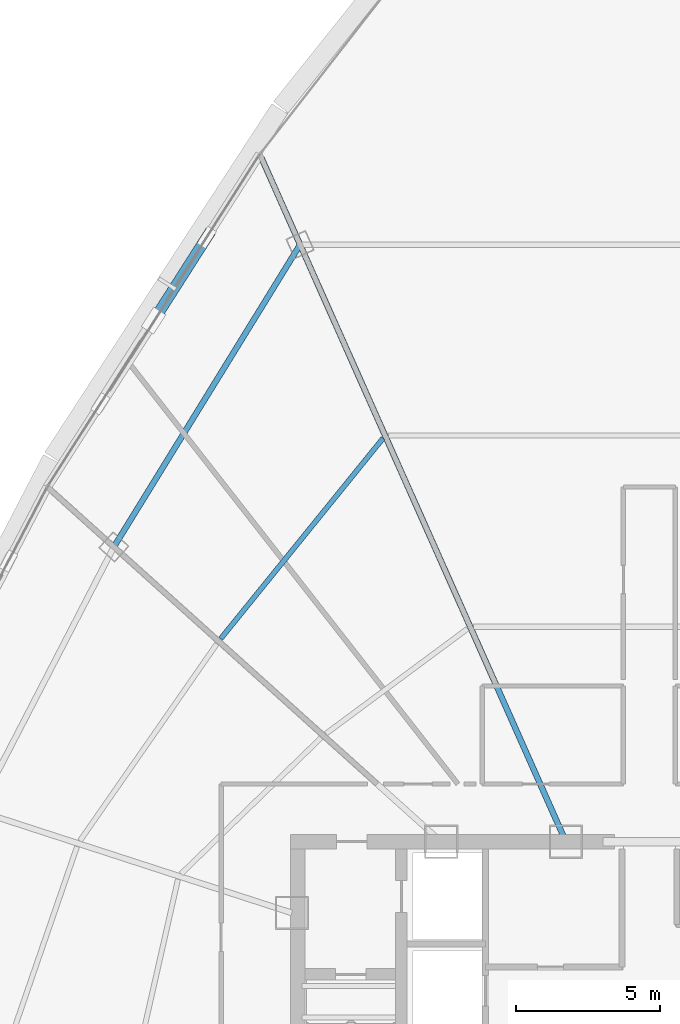
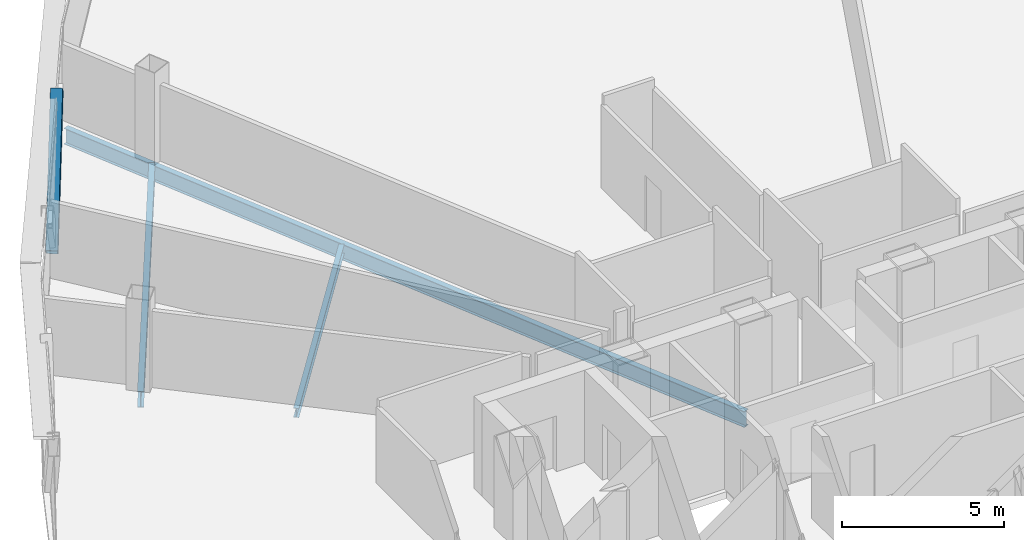
# One storey, part 18 of 37: 3 beams, 1 member.
"""IFC4 building model written with IfcOpenShell, lengths in metres."""

from ifc_helpers import new_model, si_unit, direction, frame, origin, origin_2d, place, context, subcontext, project, spatial, hollow_rectangle, i_section, extrude, source, transform, mapped, material, material_profile, profile_set, type_object, element, save


model = new_model("IFC4")

# Units and contexts
model_context = context("Model", 3, precision=1e-05, world=origin(), true_north=direction((0.0, 1.0)))
body_context = subcontext(model_context, "Body", "Model", "MODEL_VIEW")
ifc_project = project(units=[si_unit("LENGTHUNIT", "METRE"), si_unit("AREAUNIT", "SQUARE_METRE"), si_unit("VOLUMEUNIT", "CUBIC_METRE"), si_unit("PLANEANGLEUNIT", "RADIAN"), si_unit("MASSUNIT", "GRAM", prefix="KILO"), si_unit("THERMODYNAMICTEMPERATUREUNIT", "KELVIN"), si_unit("POWERUNIT", "WATT")], contexts=[model_context])

# Site, building, storey
site_placement = place(None, origin())
site = spatial("IfcSite", under=ifc_project, at=site_placement, CompositionType="ELEMENT")
building_placement = place(site_placement, origin())
building = spatial("IfcBuilding", under=site, at=building_placement, Name="Yunzhuo Pagoda Commons", CompositionType="ELEMENT")
storey_placement = place(building_placement, frame((0.0, 0.0, 281.2900390625)))
storey = spatial("IfcBuildingStorey", under=building, at=storey_placement, Name="L70", CompositionType="ELEMENT", Elevation=281.2900390625)

# Beams
ifc_material = material(Name="Structural steel Q355B", Category="steel")
ifc_material_profile_1 = material_profile(ifc_material, i_section(OverallWidth=0.199951171875, OverallDepth=0.60009765625, WebThickness=0.010986328125, FlangeThickness=0.01708984375, at=origin_2d()), Name="Structural steel Q355B")
ifc_profile_set_1 = profile_set([ifc_material_profile_1], Name="Structural steel Q355B")
beam_type_1 = type_object("IfcBeamType", Name="B-RG3 Beam HN 600x200x11x17", PredefinedType="BEAM", material=ifc_profile_set_1)
shared_shape_1 = source(origin(), body_context, "Body", "SweptSolid", [
    extrude(i_section(OverallWidth=0.199951171875, OverallDepth=0.60009765625, WebThickness=0.010986328125, FlangeThickness=0.01708984375, at=origin_2d()), origin(), (0.0, 0.0, 1.0), 25.947265625),
])
beam_1_placement = place(storey_placement, frame((34.55224609375, 63.904052734375, -0.559814453125), z_axis=(0.406735516134, -0.913545959389, 0.0), x_axis=(0.913545959389, 0.406735516134, 0.0)))
element("IfcBeam", 1, at=beam_1_placement, inside=storey, type_object=beam_type_1, Name="L70 radial floor girder F3C1", PredefinedType="BEAM", context=body_context, shape_type="MappedRepresentation", body=[
    mapped(shared_shape_1, transform((0.0, 0.0, 0.0), scale=1.0)),
])
shared_shape_2 = source(origin(), body_context, "Body", "SweptSolid", [
    extrude(i_section(OverallWidth=0.199951171875, OverallDepth=0.60009765625, WebThickness=0.010986328125, FlangeThickness=0.01708984375, at=origin_2d()), origin(), (0.0, 0.0, 1.0), 12.315185546875),
])
beam_2_placement = place(storey_placement, frame((35.8857421875, 60.9091796875, -0.559814453125), z_axis=(-0.524469015689, -0.851429534126, 0.0), x_axis=(0.851429534126, -0.524469015689, 0.0)))
element("IfcBeam", 2, at=beam_2_placement, inside=storey, type_object=beam_type_1, Name="L70 column-ring beam 9", PredefinedType="BEAM", context=body_context, shape_type="MappedRepresentation", body=[
    mapped(shared_shape_2, transform((0.0, 0.0, 0.0), scale=1.0)),
])
ifc_material_profile_2 = material_profile(ifc_material, i_section(OverallWidth=0.175048828125, OverallDepth=0.35009765625, WebThickness=0.007080078125, FlangeThickness=0.010986328125, at=origin_2d()), Name="Structural steel Q355B")
ifc_profile_set_2 = profile_set([ifc_material_profile_2], Name="Structural steel Q355B")
beam_type_2 = type_object("IfcBeamType", Name="B-JS2 Joist HN 350x175x7x11", PredefinedType="JOIST", material=ifc_profile_set_2)
shared_shape_3 = source(origin(), body_context, "Body", "SweptSolid", [
    extrude(i_section(OverallWidth=0.175048828125, OverallDepth=0.35009765625, WebThickness=0.007080078125, FlangeThickness=0.010986328125, at=origin_2d()), origin(), (0.0, 0.0, 1.0), 8.9462890625),
])
beam_3_placement = place(storey_placement, frame((38.763916015625, 54.19287109375, -0.434814453125), z_axis=(-0.629455685791, -0.777036382434, 0.0), x_axis=(0.777036382434, -0.629455685791, 0.0)))
element("IfcBeam", 3, at=beam_3_placement, inside=storey, type_object=beam_type_2, Name="L70 composite ring joist 2.9", PredefinedType="JOIST", context=body_context, shape_type="MappedRepresentation", body=[
    mapped(shared_shape_3, transform((0.0, 0.0, 0.0), scale=1.0)),
])

# Member
ifc_material_profile_3 = material_profile(ifc_material, hollow_rectangle(XDim=0.3798828125, YDim=0.719970703125, WallThickness=0.02001953125, at=origin_2d()), Name="Structural steel Q355B")
ifc_profile_set_3 = profile_set([ifc_material_profile_3], Name="Structural steel Q355B")
member_type = type_object("IfcMemberType", Name="M-DL3 Brace BOX 720x380x20", PredefinedType="BRACE", material=ifc_profile_set_3)
shared_shape_4 = source(origin(), body_context, "Body", "SweptSolid", [
    extrude(hollow_rectangle(XDim=0.3798828125, YDim=0.719970703125, WallThickness=0.02001953125, at=origin_2d()), origin(), (0.0, 0.0, 1.0), 5.063232421875),
])
member_placement = place(storey_placement, frame((30.80322265625, 58.274169921875, -0.260009765625), z_axis=(0.363995553528, 0.569933427301, 0.736670296304), x_axis=(-0.842782513918, 0.538254246833, 0.0)))
element("IfcMember", 4, at=member_placement, inside=storey, type_object=member_type, Name="L70 facade diamond brace F3.1L", PredefinedType="BRACE", context=body_context, shape_type="MappedRepresentation", body=[
    mapped(shared_shape_4, transform((0.0, 0.0, 0.0), scale=1.0)),
])

save(model, "model.ifc")
